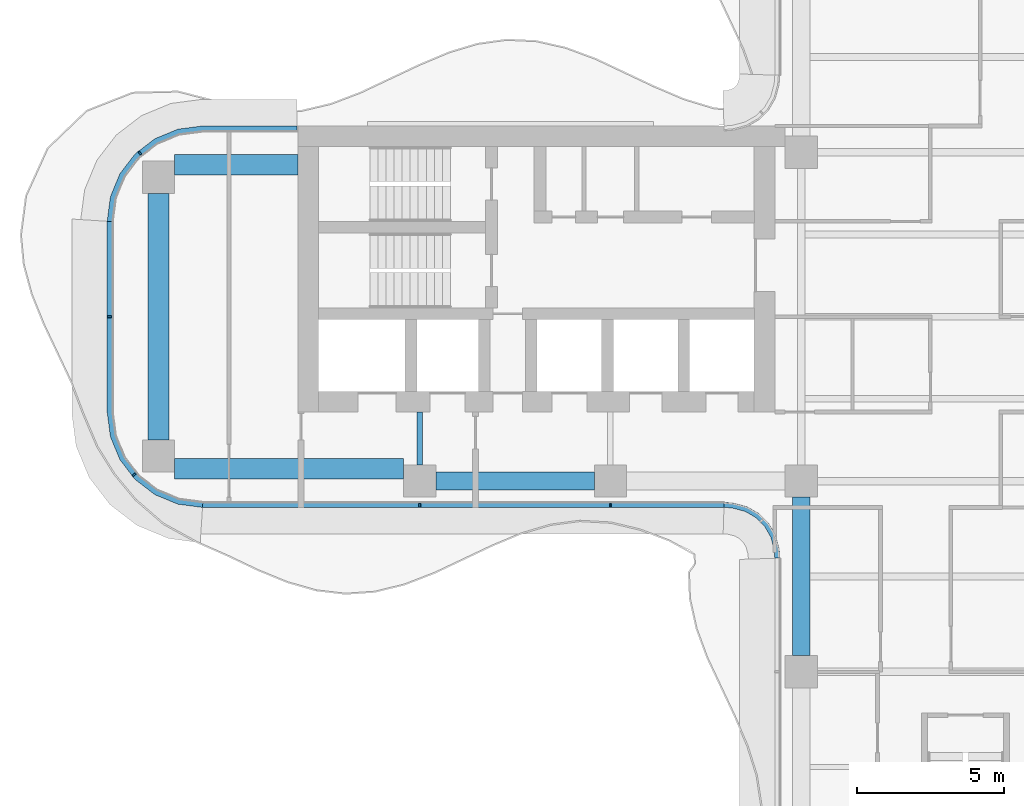
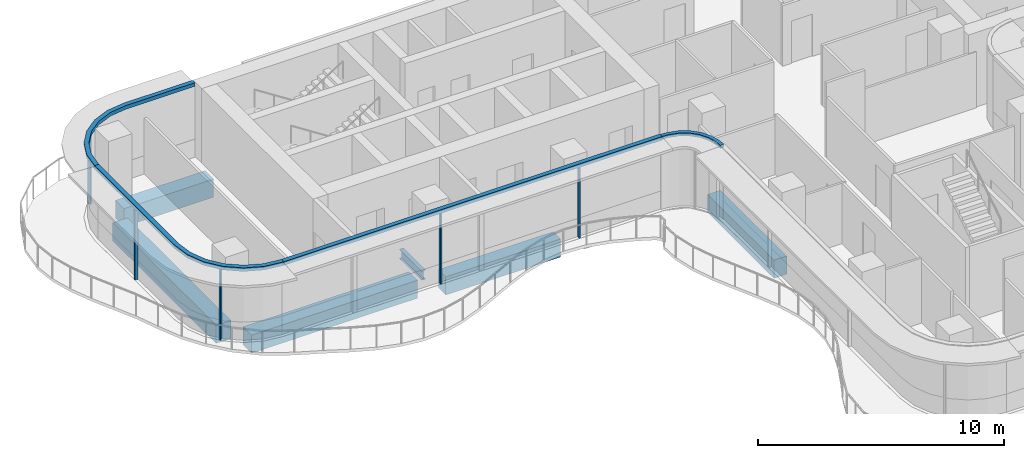
# One storey, part 3 of 17: 9 members, 6 beams, 4 elements without a shape of their own.
"""IFC4 building model written with IfcOpenShell, lengths in metres."""

from ifc_helpers import new_model, si_unit, direction, frame, origin, origin_2d, place, context, subcontext, project, spatial, polyline, rectangle, i_section, outline, extrude, source, transform, mapped, material, layer, layer_set, material_profile, profile_set, type_object, element, aggregate, save


model = new_model("IFC4")

# Units and contexts
model_context = context("Model", 3, precision=1e-05, world=origin(), true_north=direction((0.0, 1.0)))
body_context = subcontext(model_context, "Body", "Model", "MODEL_VIEW")
ifc_project = project(units=[si_unit("LENGTHUNIT", "METRE"), si_unit("AREAUNIT", "SQUARE_METRE"), si_unit("VOLUMEUNIT", "CUBIC_METRE"), si_unit("PLANEANGLEUNIT", "RADIAN"), si_unit("MASSUNIT", "GRAM", prefix="KILO")], contexts=[model_context])

# Site, building, storey
site_placement = place(None, origin())
site = spatial("IfcSite", under=ifc_project, at=site_placement, CompositionType="ELEMENT")
building_placement = place(site_placement, origin())
building = spatial("IfcBuilding", under=site, at=building_placement, Name="Trellis Farm Tower", CompositionType="ELEMENT")
storey_placement = place(building_placement, frame((0.0, 0.0, 232.39990234375)))
storey = spatial("IfcBuildingStorey", under=building, at=storey_placement, Name="L51", CompositionType="ELEMENT", Elevation=232.39990234375)

# Beams
ifc_material_1 = material(Name="Steel S355", Category="steel")
ifc_material_profile_1 = material_profile(ifc_material_1, i_section(OverallWidth=0.1904296875, OverallDepth=0.45703125, WebThickness=0.009033203125, FlangeThickness=0.014404296875, FilletRadius=0.01025390625, at=origin_2d()), Name="UB 457x191x74")
ifc_profile_set_1 = profile_set([ifc_material_profile_1], Name="Steel S355")
beam_type_1 = type_object("IfcBeamType", Name="UB 457x191x74", PredefinedType="BEAM", material=ifc_profile_set_1)
shared_shape_1 = source(origin(), body_context, "Body", "SweptSolid", [
    extrude(i_section(OverallWidth=0.1904296875, OverallDepth=0.45703125, WebThickness=0.009033203125, FlangeThickness=0.014404296875, FilletRadius=0.01025390625, at=origin_2d()), origin(), (0.0, 0.0, 1.0), 1.800048828125),
])
beam_1_placement = place(storey_placement, frame((-18.60009765625, -5.050048828125, -0.428466796875), z_axis=(0.0, 1.0, 0.0), x_axis=(-1.0, 0.0, 0.0)))
element("IfcBeam", 1, at=beam_1_placement, inside=storey, type_object=beam_type_1, Name="Girder", PredefinedType="BEAM", context=body_context, shape_type="MappedRepresentation", body=[
    mapped(shared_shape_1, transform((0.0, 0.0, 0.0))),
])
ifc_material_2 = material(Name="Concrete C60/75", Category="concrete")
ifc_material_profile_2 = material_profile(ifc_material_2, rectangle(XDim=0.60009765625, YDim=0.89990234375, at=origin_2d()), Name="RC spandrel beam 600x900 C60/75")
ifc_profile_set_2 = profile_set([ifc_material_profile_2], Name="Concrete C60/75")
beam_type_2 = type_object("IfcBeamType", Name="RC spandrel beam 600x900 C60/75", PredefinedType="SPANDREL", material=ifc_profile_set_2)
shared_shape_2 = source(origin(), body_context, "Body", "SweptSolid", [
    extrude(rectangle(XDim=0.60009765625, YDim=0.89990234375, at=origin_2d()), origin(), (0.0, 0.0, 1.0), 5.400146484375),
])
for number, where, z_axis, x_axis, name in (
    (2, (-18.050048828125, -5.60009765625, -0.64990234375), (1.0, 0.0, 0.0), (0.0, 1.0, 0.0), "Girder"),
    (3, (-5.60009765625, -11.550048828125, -0.64990234375), (0.0, 1.0, 0.0), (-1.0, 0.0, 0.0), "Girder"),
):
    element("IfcBeam", number, at=place(storey_placement, frame(where, z_axis=z_axis, x_axis=x_axis)), inside=storey, type_object=beam_type_2, Name=name, PredefinedType="SPANDREL", context=body_context, shape_type="MappedRepresentation", body=[
        mapped(shared_shape_2, transform((0.0, 0.0, 0.0))),
    ])
ifc_material_profile_3 = material_profile(ifc_material_2, rectangle(XDim=0.699951171875, YDim=0.89990234375, at=origin_2d()), Name="RC spandrel beam 700x900 C60/75")
ifc_profile_set_3 = profile_set([ifc_material_profile_3], Name="Concrete C60/75")
beam_type_3 = type_object("IfcBeamType", Name="RC spandrel beam 700x900 C60/75", PredefinedType="SPANDREL", material=ifc_profile_set_3)
shared_shape_3 = source(origin(), body_context, "Body", "SweptSolid", [
    extrude(rectangle(XDim=0.699951171875, YDim=0.89990234375, at=origin_2d()), origin(), (0.0, 0.0, 1.0), 8.39990234375),
])
beam_2_placement = place(storey_placement, frame((-27.5, -4.199951171875, -0.64990234375), z_axis=(0.0, 1.0, 0.0), x_axis=(-1.0, 0.0, 0.0)))
element("IfcBeam", 4, at=beam_2_placement, inside=storey, type_object=beam_type_3, Name="Girder", PredefinedType="SPANDREL", context=body_context, shape_type="MappedRepresentation", body=[
    mapped(shared_shape_3, transform((0.0, 0.0, 0.0))),
])
shared_shape_4 = source(origin(), body_context, "Body", "SweptSolid", [
    extrude(rectangle(XDim=0.699951171875, YDim=0.89990234375, at=origin_2d()), origin(), (0.0, 0.0, 1.0), 7.800048828125),
])
beam_3_placement = place(storey_placement, frame((-26.949951171875, -5.175048828125, -0.64990234375), z_axis=(1.0, 0.0, 0.0), x_axis=(0.0, 1.0, 0.0)))
element("IfcBeam", 5, at=beam_3_placement, inside=storey, type_object=beam_type_3, Name="Girder", PredefinedType="SPANDREL", context=body_context, shape_type="MappedRepresentation", body=[
    mapped(shared_shape_4, transform((0.0, 0.0, 0.0))),
])
shared_shape_5 = source(origin(), body_context, "Body", "SweptSolid", [
    extrude(rectangle(XDim=0.699951171875, YDim=0.89990234375, at=origin_2d()), origin(), (0.0, 0.0, 1.0), 4.199951171875),
])
beam_4_placement = place(storey_placement, frame((-26.949951171875, 5.175048828125, -0.64990234375), z_axis=(1.0, 0.0, 0.0), x_axis=(0.0, 1.0, 0.0)))
element("IfcBeam", 6, at=beam_4_placement, inside=storey, type_object=beam_type_3, Name="Girder", PredefinedType="SPANDREL", context=body_context, shape_type="MappedRepresentation", body=[
    mapped(shared_shape_5, transform((0.0, 0.0, 0.0))),
])

# Curtain wall, members
ifc_material_3 = material(Name="Aluminium and glass curtain wall", Category="aluminium")
ifc_layer_1 = layer(ifc_material_3, 0.18994140625)
ifc_layer_set_1 = layer_set([ifc_layer_1], Name="RIBBON CURTAIN WALL CW1")
curtain_wall_type_1 = type_object("IfcCurtainWallType", Name="RIBBON CURTAIN WALL CW1", PredefinedType="NOTDEFINED", material=ifc_layer_set_1)
placement_1 = place(storey_placement, origin())
curtain_wall_1 = element("IfcCurtainWall", 7, at=placement_1, inside=storey, type_object=curtain_wall_type_1, Name="CW1 001", PredefinedType="NOTDEFINED")
ifc_material_4 = material(Name="Aluminium extrusion 6063-T6", Category="aluminium")
ifc_material_profile_4 = material_profile(ifc_material_4, rectangle(XDim=0.06005859375, YDim=0.14990234375, at=origin_2d()), Name="MULLION 60x150")
ifc_profile_set_4 = profile_set([ifc_material_profile_4], Name="Aluminium extrusion 6063-T6")
member_type_1 = type_object("IfcMemberType", Name="CW1 MULLION 60x150", PredefinedType="MULLION", material=ifc_profile_set_4)
shared_shape_6 = source(origin(), body_context, "Body", "SweptSolid", [
    extrude(rectangle(XDim=0.06005859375, YDim=0.14990234375, at=origin_2d()), origin(), (0.0, 0.0, 1.0), 3.52001953125),
])
member_1_placement = place(storey_placement, frame((-18.60009765625, -6.425048828125, 0.0), z_axis=(0.0, 0.0, 1.0), x_axis=(1.0, 0.0, 0.0)))
member_1 = element("IfcMember", 8, at=member_1_placement, type_object=member_type_1, Name="MU1 001-01", PredefinedType="MULLION", context=body_context, shape_type="MappedRepresentation", body=[
    mapped(shared_shape_6, transform((0.0, 0.0, 0.0))),
])
member_2_placement = place(storey_placement, frame((-12.10009765625, -6.425048828125, 0.0), z_axis=(0.0, 0.0, 1.0), x_axis=(1.0, 0.0, 0.0)))
member_2 = element("IfcMember", 9, at=member_2_placement, type_object=member_type_1, Name="MU1 001-02", PredefinedType="MULLION", context=body_context, shape_type="MappedRepresentation", body=[
    mapped(shared_shape_6, transform((0.0, 0.0, 0.0))),
])

# Curtain wall, member
curtain_wall_2 = element("IfcCurtainWall", 10, at=placement_1, inside=storey, type_object=curtain_wall_type_1, Name="CW1 012", PredefinedType="NOTDEFINED")
member_3_placement = place(storey_placement, frame((-28.135498046875, 5.578369140625, 0.0), z_axis=(0.0, 0.0, 1.0), x_axis=(-0.793353340291, -0.608761429009, 0.0)))
member_3 = element("IfcMember", 11, at=member_3_placement, type_object=member_type_1, Name="MU1 012-01", PredefinedType="MULLION", context=body_context, shape_type="MappedRepresentation", body=[
    mapped(shared_shape_6, transform((0.0, 0.0, 0.0))),
])

# Curtain wall, members
curtain_wall_3 = element("IfcCurtainWall", 12, at=placement_1, inside=storey, type_object=curtain_wall_type_1, Name="CW1 013", PredefinedType="NOTDEFINED")
member_4_placement = place(storey_placement, frame((-29.175048828125, 0.0, 0.0), z_axis=(0.0, 0.0, 1.0), x_axis=(0.0, -1.0, 0.0)))
member_4 = element("IfcMember", 13, at=member_4_placement, type_object=member_type_1, Name="MU1 013-01", PredefinedType="MULLION", context=body_context, shape_type="MappedRepresentation", body=[
    mapped(shared_shape_6, transform((0.0, 0.0, 0.0))),
])
member_5_placement = place(storey_placement, frame((-28.328369140625, -5.385498046875, 0.0), z_axis=(0.0, 0.0, 1.0), x_axis=(0.608761429009, -0.793353340291, 0.0)))
member_5 = element("IfcMember", 14, at=member_5_placement, type_object=member_type_1, Name="MU1 013-02", PredefinedType="MULLION", context=body_context, shape_type="MappedRepresentation", body=[
    mapped(shared_shape_6, transform((0.0, 0.0, 0.0))),
])

# Curtain wall, member
ifc_layer_2 = layer(ifc_material_3, 0.166015625)
ifc_layer_set_2 = layer_set([ifc_layer_2], Name="WINTER GARDEN CURTAIN WALL CW3")
curtain_wall_type_2 = type_object("IfcCurtainWallType", Name="WINTER GARDEN CURTAIN WALL CW3", PredefinedType="NOTDEFINED", material=ifc_layer_set_2)
curtain_wall_4 = element("IfcCurtainWall", 15, at=placement_1, inside=storey, type_object=curtain_wall_type_2, Name="CW3 001", PredefinedType="NOTDEFINED")
ifc_layer_3 = layer(ifc_material_4, 0.169921875)
ifc_layer_set_3 = layer_set([ifc_layer_3], Name="Aluminium extrusion 6063-T6")
member_type_2 = type_object("IfcMemberType", Name="CW3 TRANSOM 170x150", PredefinedType="USERDEFINED", material=ifc_layer_set_3)
shared_shape_7 = source(origin(), body_context, "Body", "SweptSolid", [
    extrude(outline(polyline([(-8.2314453125, -6.5), (-8.01953125, -6.513916015625), (-7.91552734375, -6.527587890625), (-7.508544921875, -6.63671875), (-7.144287109375, -6.846923828125), (-6.846923828125, -7.144287109375), (-6.63671875, -7.508544921875), (-6.527587890625, -7.91552734375), (-6.513916015625, -8.01953125), (-6.5, -8.2314453125), (-6.330078125, -8.225830078125), (-6.3447265625, -8.0029296875), (-6.360595703125, -7.88232421875), (-6.478271484375, -7.44287109375), (-6.7109375, -7.0400390625), (-7.0400390625, -6.7109375), (-7.44287109375, -6.478271484375), (-7.88232421875, -6.360595703125), (-8.0029296875, -6.3447265625), (-8.225830078125, -6.330078125), (-8.2314453125, -6.5)])), origin(), (0.0, 0.0, 1.0), 0.150146484375),
])
member_6_placement = place(storey_placement, frame((0.0, 0.0, 3.550048828125)))
member_6 = element("IfcMember", 16, at=member_6_placement, type_object=member_type_2, Name="TR3 001", ObjectType="TRANSOM", PredefinedType="USERDEFINED", context=body_context, shape_type="MappedRepresentation", body=[
    mapped(shared_shape_7, transform((0.0, 0.0, 0.0))),
])
aggregate(curtain_wall_4, [member_6])

# Member
ifc_layer_4 = layer(ifc_material_4, 0.199951171875)
ifc_layer_set_4 = layer_set([ifc_layer_4], Name="Aluminium extrusion 6063-T6")
member_type_3 = type_object("IfcMemberType", Name="CW1 TRANSOM 200x180", PredefinedType="USERDEFINED", material=ifc_layer_set_4)
shared_shape_8 = source(origin(), body_context, "Body", "SweptSolid", [
    extrude(outline(polyline([(-26.0, -6.5), (-8.2314453125, -6.5), (-8.224853515625, -6.300048828125), (-25.98681640625, -6.300048828125), (-26.0, -6.5)])), origin(), (0.0, 0.0, 1.0), 0.18017578125),
])
placement_2 = place(storey_placement, frame((0.0, 0.0, 3.52001953125)))
member_7 = element("IfcMember", 17, at=placement_2, type_object=member_type_3, Name="TR1 001", ObjectType="TRANSOM", PredefinedType="USERDEFINED", context=body_context, shape_type="MappedRepresentation", body=[
    mapped(shared_shape_8, transform((0.0, 0.0, 0.0))),
])

aggregate(curtain_wall_1, [member_1, member_2, member_7])

shared_shape_9 = source(origin(), body_context, "Body", "SweptSolid", [
    extrude(outline(polyline([(-22.780029296875, 6.5), (-26.0, 6.5), (-26.841064453125, 6.38916015625), (-27.625, 6.064697265625), (-28.298095703125, 5.548095703125), (-28.814697265625, 4.875), (-29.13916015625, 4.091064453125), (-29.25, 3.25), (-29.050048828125, 3.23681640625), (-28.9443359375, 4.0390625), (-28.639892578125, 4.774169921875), (-28.155517578125, 5.405517578125), (-27.524169921875, 5.889892578125), (-26.7890625, 6.1943359375), (-25.98681640625, 6.300048828125), (-22.780029296875, 6.300048828125), (-22.780029296875, 6.5)])), origin(), (0.0, 0.0, 1.0), 0.18017578125),
])
member_8 = element("IfcMember", 18, at=placement_2, type_object=member_type_3, Name="TR1 012", ObjectType="TRANSOM", PredefinedType="USERDEFINED", context=body_context, shape_type="MappedRepresentation", body=[
    mapped(shared_shape_9, transform((0.0, 0.0, 0.0))),
])

aggregate(curtain_wall_2, [member_3, member_8])

shared_shape_10 = source(origin(), body_context, "Body", "SweptSolid", [
    extrude(outline(polyline([(-29.25, 3.25), (-29.25, -3.25), (-29.13916015625, -4.091064453125), (-28.814697265625, -4.875), (-28.298095703125, -5.548095703125), (-27.625, -6.064697265625), (-26.841064453125, -6.38916015625), (-26.0, -6.5), (-25.98681640625, -6.300048828125), (-26.7890625, -6.1943359375), (-27.524169921875, -5.889892578125), (-28.155517578125, -5.405517578125), (-28.639892578125, -4.774169921875), (-28.9443359375, -4.0390625), (-29.050048828125, -3.23681640625), (-29.050048828125, 3.23681640625), (-29.25, 3.25)])), origin(), (0.0, 0.0, 1.0), 0.18017578125),
])
member_9 = element("IfcMember", 19, at=placement_2, type_object=member_type_3, Name="TR1 013", ObjectType="TRANSOM", PredefinedType="USERDEFINED", context=body_context, shape_type="MappedRepresentation", body=[
    mapped(shared_shape_10, transform((0.0, 0.0, 0.0))),
])

aggregate(curtain_wall_3, [member_4, member_5, member_9])

save(model, "model.ifc")
